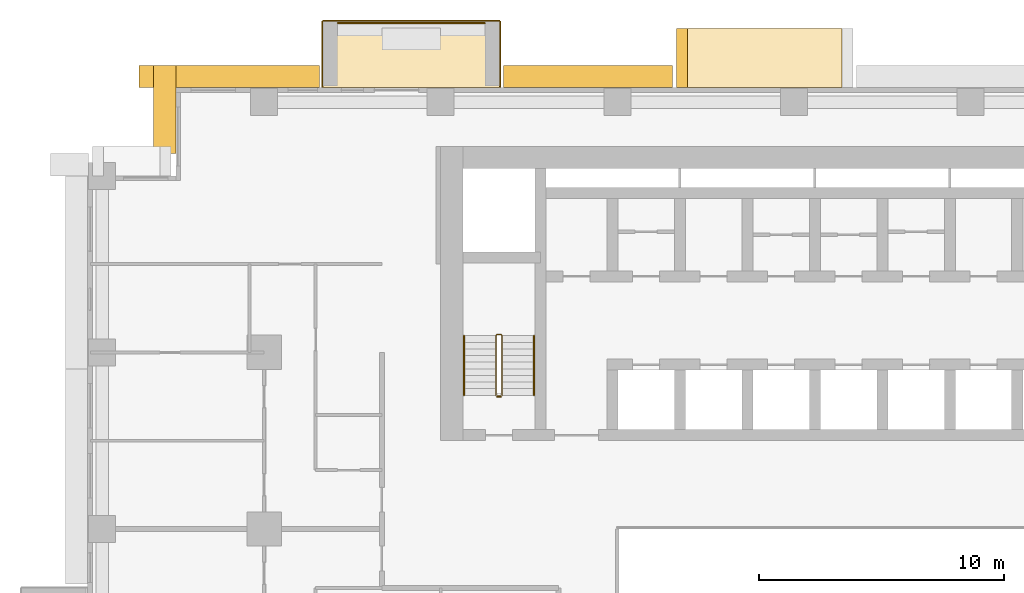
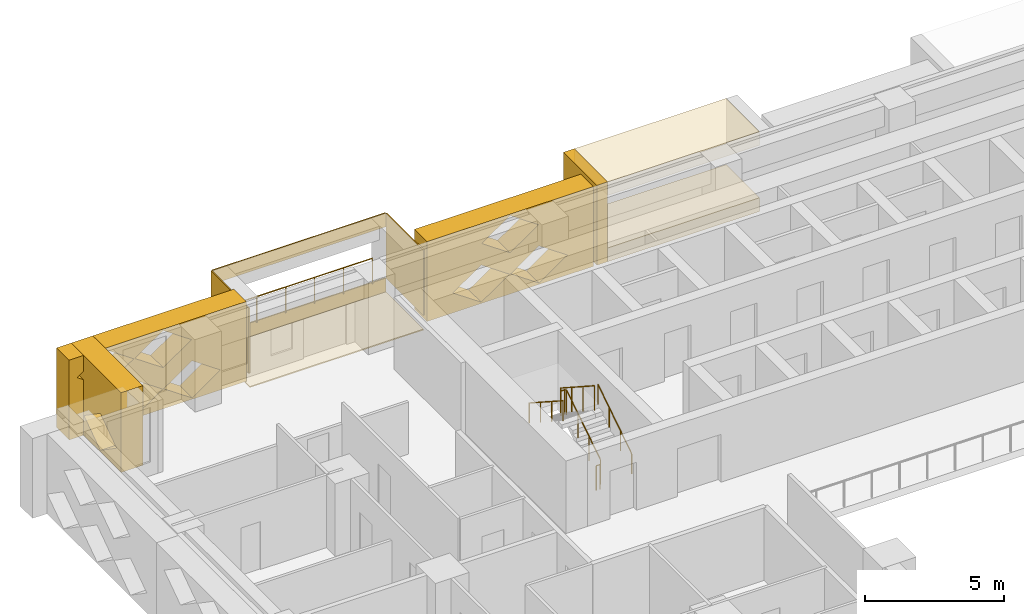
# One storey, part 14 of 16: 11 coverings, 5 railings.
"""IFC4 building model written with IfcOpenShell, lengths in metres."""

from ifc_helpers import new_model, si_unit, direction, frame, origin, origin_2d, place, context, subcontext, project, spatial, polyline, circle, outline, extrude, material, layer, layer_set, type_object, element, save


model = new_model("IFC4")

# Units and contexts
model_context = context("Model", 3, precision=1e-05, world=origin(), true_north=direction((0.0, 1.0)))
body_context = subcontext(model_context, "Body", "Model", "MODEL_VIEW")
ifc_project = project(units=[si_unit("LENGTHUNIT", "METRE"), si_unit("AREAUNIT", "SQUARE_METRE"), si_unit("VOLUMEUNIT", "CUBIC_METRE"), si_unit("PLANEANGLEUNIT", "RADIAN"), si_unit("MASSUNIT", "GRAM", prefix="KILO")], contexts=[model_context])

# Site, building, storey
site_placement = place(None, origin())
site = spatial("IfcSite", under=ifc_project, at=site_placement, CompositionType="ELEMENT")
building_placement = place(site_placement, origin())
building = spatial("IfcBuilding", under=site, at=building_placement, Name="Saffron Iwan Residences", CompositionType="ELEMENT")
storey_placement = place(building_placement, frame((0.0, 0.0, 30.5)))
storey = spatial("IfcBuildingStorey", under=building, at=storey_placement, Name="L06", CompositionType="ELEMENT", Elevation=30.5)

# Railing
ifc_material_1 = material(Name="Stainless steel 316", Category="steel")
railing_type_1 = type_object("IfcRailingType", Name="BALCONY GUARD 1150", PredefinedType="GUARDRAIL", material=ifc_material_1)
railing_1_placement = place(storey_placement, frame((30.60009765625, 83.02490234375, 0.0)))
element("IfcRailing", 1, at=railing_1_placement, inside=storey, type_object=railing_type_1, Name="Balcony guard L06 F5-3", PredefinedType="GUARDRAIL", context=body_context, shape_type="SweptSolid", body=[
    extrude(circle(Radius=0.02392578125, at=origin_2d()), frame((0.0, 0.0, 1.1259765625), z_axis=(-1.0, 0.0, 0.0), x_axis=(0.0, -1.0, 0.0)), (0.0, 0.0, 1.0), 6.0),
    extrude(circle(Radius=0.02099609375, at=origin_2d()), origin(), (0.0, 0.0, 1.0), 1.101806640625),
    extrude(circle(Radius=0.02099609375, at=origin_2d()), frame((-1.199951171875, 0.0, 0.0)), (0.0, 0.0, 1.0), 1.101806640625),
    extrude(circle(Radius=0.02099609375, at=origin_2d()), frame((-2.39990234375, 0.0, 0.0)), (0.0, 0.0, 1.0), 1.101806640625),
    extrude(circle(Radius=0.02099609375, at=origin_2d()), frame((-3.60009765625, 0.0, 0.0)), (0.0, 0.0, 1.0), 1.101806640625),
    extrude(circle(Radius=0.02099609375, at=origin_2d()), frame((-4.800048828125, 0.0, 0.0)), (0.0, 0.0, 1.0), 1.101806640625),
    extrude(circle(Radius=0.02099609375, at=origin_2d()), frame((-6.0, 0.0, 0.0)), (0.0, 0.0, 1.0), 1.101806640625),
])

# Coverings
ifc_material_2 = material(Name="Precast concrete C40/50 white painted", Category="concrete")
ifc_layer = layer(ifc_material_2, 0.050048828125)
ifc_layer_set = layer_set([ifc_layer], Name="Precast concrete C40/50 white painted")
covering_type_1 = type_object("IfcCoveringType", Name="FRAME SKIN PRECAST WHITE 50", PredefinedType="CLADDING", material=ifc_layer_set)
for number, where, name in (
    (2, (0.0, 0.0, -0.60009765625), "Frame skin slab edge L06 F5-3"),
    (3, (0.0, 0.0, 2.25), "Frame skin fascia L06 F5-3"),
):
    element("IfcCovering", number, at=place(storey_placement, frame(where)), inside=storey, type_object=covering_type_1, Name=name, PredefinedType="CLADDING", context=body_context, shape_type="SweptSolid", body=[
        extrude(outline(polyline([(31.199951171875, 83.14990234375), (24.0, 83.14990234375), (24.0, 83.10009765625), (31.199951171875, 83.10009765625), (31.199951171875, 83.14990234375)])), origin(), (0.0, 0.0, 1.0), 0.60009765625),
    ])
covering_1_placement = place(storey_placement, frame((0.0, 0.0, -0.64990234375)))
element("IfcCovering", 4, at=covering_1_placement, inside=storey, type_object=covering_type_1, Name="Frame skin soffit L06 F5-3", PredefinedType="CLADDING", context=body_context, shape_type="SweptSolid", body=[
    extrude(outline(polyline([(31.199951171875, 83.10009765625), (24.0, 83.10009765625), (24.0, 80.39990234375), (31.199951171875, 80.39990234375), (31.199951171875, 83.10009765625)])), origin(), (0.0, 0.0, 1.0), 0.0498046875),
])
covering_2_placement = place(storey_placement, origin())
element("IfcCovering", 5, at=covering_2_placement, inside=storey, type_object=covering_type_1, Name="Frame skin fin L06 F5-3a", PredefinedType="CLADDING", context=body_context, shape_type="SweptSolid", body=[
    extrude(outline(polyline([(31.25, 83.10009765625), (31.199951171875, 83.10009765625), (31.199951171875, 80.39990234375), (31.25, 80.39990234375), (31.25, 83.10009765625)])), origin(), (0.0, 0.0, 1.0), 2.85009765625),
])
covering_3_placement = place(storey_placement, origin())
element("IfcCovering", 6, at=covering_3_placement, inside=storey, type_object=covering_type_1, Name="Frame skin fin L06 F5-3b", PredefinedType="CLADDING", context=body_context, shape_type="SweptSolid", body=[
    extrude(outline(polyline([(24.0, 83.10009765625), (23.949951171875, 83.10009765625), (23.949951171875, 80.39990234375), (24.0, 80.39990234375), (24.0, 83.10009765625)])), origin(), (0.0, 0.0, 1.0), 2.85009765625),
])
ifc_material_3 = material(Name="Precast concrete C40/50", Category="concrete")
covering_type_2 = type_object("IfcCoveringType", Name="OUTER SKIN LATTICE SCREEN", PredefinedType="CLADDING", material=ifc_material_3)
covering_4_placement = place(storey_placement, frame((38.25, 80.39990234375, -0.320068359375), z_axis=(0.0, 1.0, 0.0), x_axis=(-1.0, 0.0, 0.0)))
element("IfcCovering", 7, at=covering_4_placement, inside=storey, type_object=covering_type_2, Name="OUTER SKIN lattice screen L06 F5.3", PredefinedType="CLADDING", context=body_context, shape_type="SweptSolid", body=[
    extrude(outline(polyline([(0.0, 0.0), (6.89990234375, 0.0), (6.89990234375, 3.5), (0.0, 3.5), (0.0, 0.0)]), holes=[polyline([(1.070068359375, 0.875), (2.25, 0.06005859375), (3.429931640625, 0.875), (2.25, 1.68994140625), (1.070068359375, 0.875)]), polyline([(3.469970703125, 0.875), (4.64990234375, 0.06005859375), (5.830078125, 0.875), (4.64990234375, 1.68994140625), (3.469970703125, 0.875)]), polyline([(2.27001953125, 2.625), (3.449951171875, 1.81005859375), (4.6298828125, 2.625), (3.449951171875, 3.43994140625), (2.27001953125, 2.625)])]), origin(), (0.0, 0.0, 1.0), 0.900146484375),
])
covering_5_placement = place(storey_placement, frame((23.85009765625, 80.39990234375, -0.320068359375), z_axis=(0.0, 1.0, 0.0), x_axis=(-1.0, 0.0, 0.0)))
element("IfcCovering", 8, at=covering_5_placement, inside=storey, type_object=covering_type_2, Name="OUTER SKIN lattice screen L06 F5.4", PredefinedType="CLADDING", context=body_context, shape_type="SweptSolid", body=[
    extrude(outline(polyline([(0.0, 0.0), (7.35009765625, 0.0), (7.35009765625, 3.5), (0.0, 3.5), (0.0, 0.0)]), holes=[polyline([(1.070068359375, 0.875), (2.25, 0.06005859375), (3.429931640625, 0.875), (2.25, 1.68994140625), (1.070068359375, 0.875)]), polyline([(3.469970703125, 0.875), (4.64990234375, 0.06005859375), (5.830078125, 0.875), (4.64990234375, 1.68994140625), (3.469970703125, 0.875)]), polyline([(2.27001953125, 2.625), (3.449951171875, 1.81005859375), (4.6298828125, 2.625), (3.449951171875, 3.43994140625), (2.27001953125, 2.625)]), polyline([(4.669921875, 2.625), (5.85009765625, 1.81005859375), (7.030029296875, 2.625), (5.85009765625, 3.43994140625), (4.669921875, 2.625)])]), origin(), (0.0, 0.0, 1.0), 0.900146484375),
])
covering_6_placement = place(storey_placement, frame((18.0, 81.300048828125, -0.320068359375), z_axis=(-1.0, 0.0, 0.0), x_axis=(0.0, -1.0, 0.0)))
element("IfcCovering", 9, at=covering_6_placement, inside=storey, type_object=covering_type_2, Name="OUTER SKIN lattice screen L06 F6.0", PredefinedType="CLADDING", context=body_context, shape_type="SweptSolid", body=[
    extrude(outline(polyline([(0.0, 0.0), (3.60009765625, 0.0), (3.60009765625, 3.5), (0.0, 3.5), (0.0, 0.0)]), holes=[polyline([(0.919921875, 0.875), (2.10009765625, 0.06005859375), (3.280029296875, 0.875), (2.10009765625, 1.68994140625), (0.919921875, 0.875)])]), origin(), (0.0, 0.0, 1.0), 0.89990234375),
])

# Railings
ifc_material_4 = material(Name="Steel S355", Category="steel")
railing_type_2 = type_object("IfcRailingType", Name="Stair guard 1100", PredefinedType="GUARDRAIL", material=ifc_material_4)
railing_2_placement = place(storey_placement, frame((31.300048828125, 67.85009765625, 0.175048828125)))
element("IfcRailing", 10, at=railing_2_placement, inside=storey, type_object=railing_type_2, Name="L06 ST-W stair guard 1", PredefinedType="GUARDRAIL", context=body_context, shape_type="SweptSolid", body=[
    extrude(circle(Radius=0.02392578125, at=origin_2d()), frame((0.0, 0.0, 1.076171875), z_axis=(0.0, 0.839153699163, 0.543894354798), x_axis=(-1.0, 0.0, 0.0)), (0.0, 0.0, 1.0), 2.895751953125),
    extrude(circle(Radius=0.02392578125, at=origin_2d()), frame((0.0, 2.429931640625, 2.65087890625), z_axis=(-0.707106781187, 0.707106781187, 0.0), x_axis=(-0.707106781187, -0.707106781187, 0.0)), (0.0, 0.0, 1.0), 0.07080078125),
    extrude(circle(Radius=0.02392578125, at=origin_2d()), frame((-0.050048828125, 2.47998046875, 2.65087890625), z_axis=(-1.0, 0.0, 0.0), x_axis=(0.0, -1.0, 0.0)), (0.0, 0.0, 1.0), 0.14990234375),
    extrude(circle(Radius=0.02392578125, at=origin_2d()), frame((-0.199951171875, 2.47998046875, 2.65087890625), z_axis=(-0.265065253269, -0.265065253269, 0.927081885822), x_axis=(0.707106781187, -0.707106781187, 0.0)), (0.0, 0.0, 1.0), 0.188720703125),
    extrude(circle(Radius=0.02392578125, at=origin_2d()), frame((-0.25, 2.429931640625, 2.826171875), z_axis=(0.0, -0.839153699163, 0.543894354798), x_axis=(1.0, 0.0, 0.0)), (0.0, 0.0, 1.0), 2.895751953125),
    extrude(circle(Radius=0.02099609375, at=origin_2d()), origin(), (0.0, 0.0, 1.0), 1.052001953125),
    extrude(circle(Radius=0.02099609375, at=origin_2d()), frame((0.0, 0.81005859375, 0.52490234375)), (0.0, 0.0, 1.0), 1.052001953125),
    extrude(circle(Radius=0.02099609375, at=origin_2d()), frame((0.0, 1.619873046875, 1.050048828125)), (0.0, 0.0, 1.0), 1.052001953125),
    extrude(circle(Radius=0.02099609375, at=origin_2d()), frame((0.0, 2.429931640625, 1.574951171875)), (0.0, 0.0, 1.0), 1.052001953125),
    extrude(circle(Radius=0.02099609375, at=origin_2d()), frame((-0.050048828125, 2.47998046875, 1.574951171875)), (0.0, 0.0, 1.0), 1.052001953125),
    extrude(circle(Radius=0.02099609375, at=origin_2d()), frame((-0.199951171875, 2.47998046875, 1.574951171875)), (0.0, 0.0, 1.0), 1.052001953125),
    extrude(circle(Radius=0.02099609375, at=origin_2d()), frame((-0.25, 2.429931640625, 1.75)), (0.0, 0.0, 1.0), 1.052001953125),
    extrude(circle(Radius=0.02099609375, at=origin_2d()), frame((-0.25, 1.619873046875, 2.27490234375)), (0.0, 0.0, 1.0), 1.052001953125),
    extrude(circle(Radius=0.02099609375, at=origin_2d()), frame((-0.25, 0.81005859375, 2.800048828125)), (0.0, 0.0, 1.0), 1.052001953125),
    extrude(circle(Radius=0.02099609375, at=origin_2d()), frame((-0.25, 0.0, 3.324951171875)), (0.0, 0.0, 1.0), 1.052001953125),
])
railing_3_placement = place(storey_placement, frame((31.25, 67.800048828125, 0.0)))
element("IfcRailing", 11, at=railing_3_placement, inside=storey, type_object=railing_type_2, Name="L06 ST-W stair guard 2", PredefinedType="GUARDRAIL", context=body_context, shape_type="SweptSolid", body=[
    extrude(circle(Radius=0.02392578125, at=origin_2d()), frame((0.0, 0.0, 1.076171875), z_axis=(-1.0, 0.0, 0.0), x_axis=(0.0, -1.0, 0.0)), (0.0, 0.0, 1.0), 0.14990234375),
    extrude(circle(Radius=0.02099609375, at=origin_2d()), origin(), (0.0, 0.0, 1.0), 1.052001953125),
    extrude(circle(Radius=0.02099609375, at=origin_2d()), frame((-0.14990234375, 0.0, 0.0)), (0.0, 0.0, 1.0), 1.052001953125),
])
railing_type_3 = type_object("IfcRailingType", Name="Stair handrail 900", PredefinedType="HANDRAIL", material=ifc_material_1)
railing_4_placement = place(storey_placement, frame((32.60009765625, 67.85009765625, 0.175048828125)))
element("IfcRailing", 12, at=railing_4_placement, inside=storey, type_object=railing_type_3, Name="L06 ST-W stair handrail 1", PredefinedType="HANDRAIL", context=body_context, shape_type="SweptSolid", body=[
    extrude(circle(Radius=0.02392578125, at=origin_2d()), frame((0.0, 0.0, 0.8759765625), z_axis=(0.0, 0.839153699163, 0.543894354798), x_axis=(-1.0, 0.0, 0.0)), (0.0, 0.0, 1.0), 2.895751953125),
    extrude(circle(Radius=0.02099609375, at=origin_2d()), origin(), (0.0, 0.0, 1.0), 0.851806640625),
    extrude(circle(Radius=0.02099609375, at=origin_2d()), frame((0.0, 0.81005859375, 0.52490234375)), (0.0, 0.0, 1.0), 0.851806640625),
    extrude(circle(Radius=0.02099609375, at=origin_2d()), frame((0.0, 1.619873046875, 1.050048828125)), (0.0, 0.0, 1.0), 0.851806640625),
    extrude(circle(Radius=0.02099609375, at=origin_2d()), frame((0.0, 2.429931640625, 1.574951171875)), (0.0, 0.0, 1.0), 0.851806640625),
])
railing_5_placement = place(storey_placement, frame((29.75, 70.280029296875, 1.925048828125)))
element("IfcRailing", 13, at=railing_5_placement, inside=storey, type_object=railing_type_3, Name="L06 ST-W stair handrail 2", PredefinedType="HANDRAIL", context=body_context, shape_type="SweptSolid", body=[
    extrude(circle(Radius=0.02392578125, at=origin_2d()), frame((0.0, 0.0, 0.8759765625), z_axis=(0.0, -0.839153699163, 0.543894354798), x_axis=(1.0, 0.0, 0.0)), (0.0, 0.0, 1.0), 2.895751953125),
    extrude(circle(Radius=0.02099609375, at=origin_2d()), origin(), (0.0, 0.0, 1.0), 0.851806640625),
    extrude(circle(Radius=0.02099609375, at=origin_2d()), frame((0.0, -0.81005859375, 0.52490234375)), (0.0, 0.0, 1.0), 0.851806640625),
    extrude(circle(Radius=0.02099609375, at=origin_2d()), frame((0.0, -1.619873046875, 1.050048828125)), (0.0, 0.0, 1.0), 0.851806640625),
    extrude(circle(Radius=0.02099609375, at=origin_2d()), frame((0.0, -2.429931640625, 1.574951171875)), (0.0, 0.0, 1.0), 0.851806640625),
])

# Coverings
covering_type_3 = type_object("IfcCoveringType", Name="WHITE SUN FRAME PRECAST", PredefinedType="CLADDING", material=ifc_material_2)
covering_7_placement = place(storey_placement, frame((38.85009765625, 80.39990234375, -0.320068359375), z_axis=(0.0, 1.0, 0.0), x_axis=(-1.0, 0.0, 0.0)))
element("IfcCovering", 14, at=covering_7_placement, inside=storey, type_object=covering_type_3, Name="Sun frame L06 F5 37.2b", PredefinedType="CLADDING", context=body_context, shape_type="SweptSolid", body=[
    extrude(outline(polyline([(0.0, 0.0), (0.449951171875, 0.0), (0.449951171875, 3.5), (0.0, 3.5), (0.0, 0.0)])), origin(), (0.0, 0.0, 1.0), 2.400146484375),
])
for number, where, z_axis, x_axis, name in (
    (15, (45.14990234375, 80.39990234375, 2.580078125), (0.0, 1.0, 0.0), (-1.0, 0.0, 0.0), "Sun frame L06 F5 37.2h"),
    (16, (45.14990234375, 80.39990234375, -0.320068359375), (0.0, 1.0, 0.0), (-1.0, 0.0, 0.0), "Sun frame L06 F5 37.2s"),
):
    element("IfcCovering", number, at=place(storey_placement, frame(where, z_axis=z_axis, x_axis=x_axis)), inside=storey, type_object=covering_type_3, Name=name, PredefinedType="CLADDING", context=body_context, shape_type="SweptSolid", body=[
        extrude(outline(polyline([(0.0, 0.0), (6.300048828125, 0.0), (6.300048828125, 0.60009765625), (0.0, 0.60009765625), (0.0, 0.0)])), origin(), (0.0, 0.0, 1.0), 2.400146484375),
    ])

save(model, "model.ifc")
